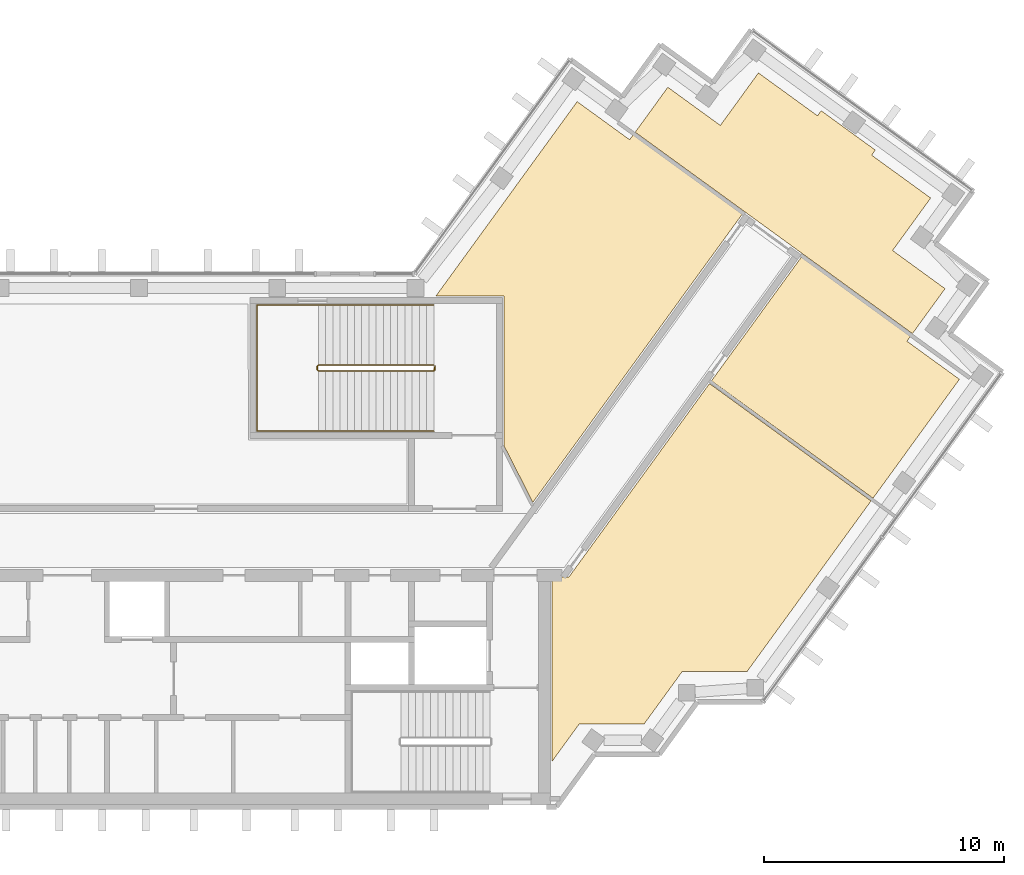
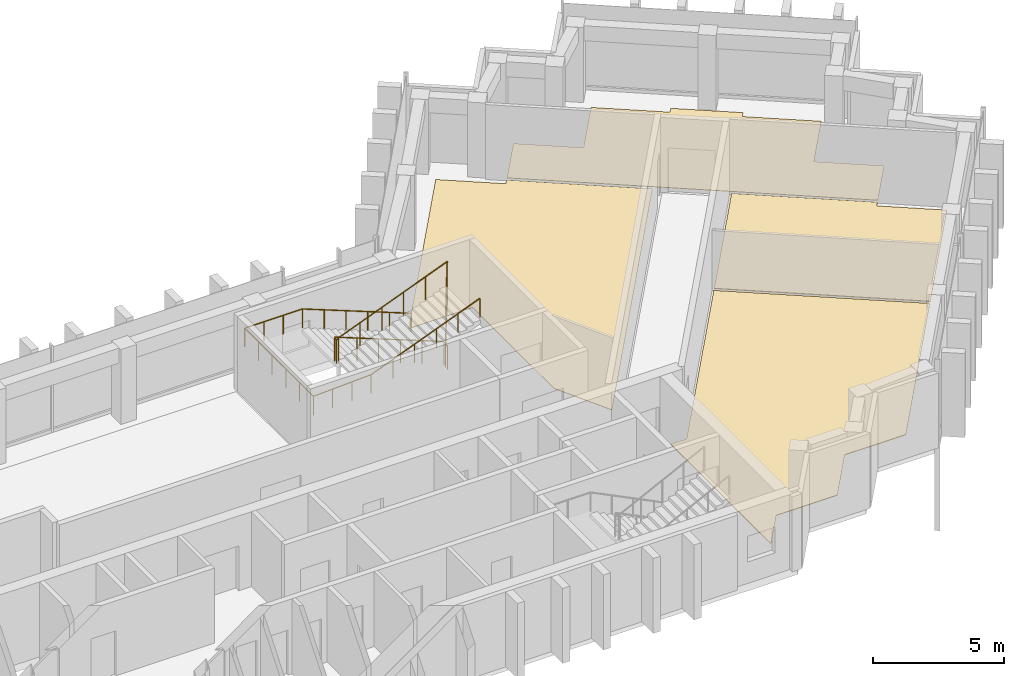
# One storey, part 13 of 13: 4 coverings, 2 railings.
"""IFC4 building model written with IfcOpenShell, lengths in metres."""

from ifc_helpers import new_model, si_unit, direction, frame, origin, origin_2d, place, context, subcontext, project, spatial, polyline, circle, outline, extrude, material, layer, layer_set, type_object, element, save


model = new_model("IFC4")

# Units and contexts
model_context = context("Model", 3, precision=1e-05, world=origin(), true_north=direction((0.0, 1.0)))
body_context = subcontext(model_context, "Body", "Model", "MODEL_VIEW")
ifc_project = project(units=[si_unit("LENGTHUNIT", "METRE"), si_unit("AREAUNIT", "SQUARE_METRE"), si_unit("VOLUMEUNIT", "CUBIC_METRE"), si_unit("PLANEANGLEUNIT", "RADIAN"), si_unit("MASSUNIT", "GRAM", prefix="KILO")], contexts=[model_context])

# Site, building, storey
site_placement = place(None, origin())
site = spatial("IfcSite", under=ifc_project, at=site_placement, CompositionType="ELEMENT")
building_placement = place(site_placement, origin())
building = spatial("IfcBuilding", under=site, at=building_placement, Name="Quipu Civic Tower", CompositionType="ELEMENT")
storey_placement = place(building_placement, frame((0.0, 0.0, 269.0)))
storey = spatial("IfcBuildingStorey", under=building, at=storey_placement, Name="L63", CompositionType="ELEMENT", Elevation=269.0)

# Coverings
ifc_material_1 = material(Name="Carpet tile on raised access floor")
ifc_layer_1 = layer(ifc_material_1, 0.02001953125)
ifc_layer_set_1 = layer_set([ifc_layer_1], Name="Carpet tile on raised access floor")
covering_type_1 = type_object("IfcCoveringType", Name="Carpet tile floor finish 20", PredefinedType="FLOORING", material=ifc_layer_set_1)
covering_1_placement = place(storey_placement, origin())
element("IfcCovering", 1, at=covering_1_placement, inside=storey, type_object=covering_type_1, Name="Carpet tile floor finish 20", PredefinedType="FLOORING", context=body_context, shape_type="SweptSolid", body=[
    extrude(outline(polyline([(15.238037109375, 10.169921875), (21.115966796875, 18.260986328125), (23.299072265625, 16.676025390625), (23.447998046875, 16.876953125), (27.987060546875, 13.5791015625), (19.27197265625, 1.583984375), (18.070068359375, 3.94189453125), (18.070068359375, 10.1689453125), (15.238037109375, 10.169921875)])), origin(), (0.0, 0.0, 1.0), 0.02001953125),
])
covering_2_placement = place(storey_placement, origin())
element("IfcCovering", 2, at=covering_2_placement, inside=storey, type_object=covering_type_1, Name="Carpet tile floor finish 20", PredefinedType="FLOORING", context=body_context, shape_type="SweptSolid", body=[
    extrude(outline(polyline([(23.531005859375, 16.989013671875), (24.888916015625, 18.85791015625), (27.073974609375, 17.27197265625), (28.658935546875, 19.455078125), (31.116943359375, 17.6708984375), (31.27099609375, 17.8798828125), (33.52197265625, 16.2451171875), (33.3701171875, 16.032958984375), (35.826904296875, 14.248046875), (34.240966796875, 12.06396484375), (36.425048828125, 10.47705078125), (35.068115234375, 8.60791015625), (23.531005859375, 16.989013671875)])), origin(), (0.0, 0.0, 1.0), 0.02001953125),
])
ifc_material_2 = material(Name="Ceramic floor tile")
ifc_layer_2 = layer(ifc_material_2, 0.030029296875)
ifc_layer_set_2 = layer_set([ifc_layer_2], Name="Ceramic floor tile")
covering_type_2 = type_object("IfcCoveringType", Name="Ceramic tile floor finish 30", PredefinedType="FLOORING", material=ifc_layer_set_2)
covering_3_placement = place(storey_placement, origin())
element("IfcCovering", 3, at=covering_3_placement, inside=storey, type_object=covering_type_2, Name="Ceramic tile floor finish 30", PredefinedType="FLOORING", context=body_context, shape_type="SweptSolid", body=[
    extrude(outline(polyline([(26.705078125, 6.64208984375), (30.446044921875, 11.7919921875), (34.985107421875, 8.493896484375), (34.839111328125, 8.291015625), (37.02197265625, 6.7060546875), (33.427978515625, 1.758056640625), (26.705078125, 6.64208984375)])), origin(), (0.0, 0.0, 1.0), 0.030029296875),
])
covering_4_placement = place(storey_placement, origin())
element("IfcCovering", 4, at=covering_4_placement, inside=storey, type_object=covering_type_2, Name="Ceramic tile floor finish 30", PredefinedType="FLOORING", context=body_context, shape_type="SweptSolid", body=[
    extrude(outline(polyline([(20.070068359375, -9.195068359375), (20.070068359375, -1.52001953125), (20.77490234375, -1.51904296875), (26.6220703125, 6.529052734375), (33.344970703125, 1.64501953125), (28.181884765625, -5.4609375), (25.48193359375, -5.4619140625), (23.89501953125, -7.64599609375), (21.196044921875, -7.64599609375), (20.070068359375, -9.195068359375)])), origin(), (0.0, 0.0, 1.0), 0.030029296875),
])

# Railings
ifc_material_3 = material(Name="Stainless steel", Category="steel")
railing_type_1 = type_object("IfcRailingType", Name="Stair guard 1100", PredefinedType="GUARDRAIL", material=ifc_material_3)
railing_1_placement = place(storey_placement, frame((15.14990234375, 7.300048828125, 0.11767578125)))
element("IfcRailing", 5, at=railing_1_placement, inside=storey, type_object=railing_type_1, Name="Stair 4 guard", PredefinedType="GUARDRAIL", context=body_context, shape_type="SweptSolid", body=[
    extrude(circle(Radius=0.02392578125, at=origin_2d()), frame((0.0, 0.0, 1.076171875), z_axis=(-0.930970042603, 0.0, 0.365095576219), x_axis=(0.0, -1.0, 0.0)), (0.0, 0.0, 1.0), 5.15576171875),
    extrude(circle(Radius=0.02392578125, at=origin_2d()), frame((-4.7998046875, 0.0, 2.95849609375), z_axis=(-0.707106781187, -0.707106781187, 0.0), x_axis=(0.707106781187, -0.707106781187, 0.0)), (0.0, 0.0, 1.0), 0.07080078125),
    extrude(circle(Radius=0.02392578125, at=origin_2d()), frame((-4.849853515625, -0.050048828125, 2.95849609375), z_axis=(0.0, -1.0, 0.0), x_axis=(1.0, 0.0, 0.0)), (0.0, 0.0, 1.0), 0.14990234375),
    extrude(circle(Radius=0.02392578125, at=origin_2d()), frame((-4.849853515625, -0.199951171875, 2.95849609375), z_axis=(0.364463019033, -0.364463019033, 0.856932561824), x_axis=(0.707106781187, 0.707106781187, 0.0)), (0.0, 0.0, 1.0), 0.13720703125),
    extrude(circle(Radius=0.02392578125, at=origin_2d()), frame((-4.7998046875, -0.25, 3.076171875), z_axis=(0.930970042603, 0.0, 0.365095576219), x_axis=(0.0, 1.0, 0.0)), (0.0, 0.0, 1.0), 5.15576171875),
    extrude(circle(Radius=0.02392578125, at=origin_2d()), frame((0.0, -0.25, 4.95849609375), z_axis=(0.012495627992, 0.049921557685, -0.998674970829), x_axis=(-0.970072785993, 0.242814311512, 0.0)), (0.0, 0.0, 1.0), 4.00537109375),
    extrude(circle(Radius=0.02392578125, at=origin_2d()), frame((0.050048828125, -0.050048828125, 0.95849609375), z_axis=(0.0, -1.0, 0.0), x_axis=(1.0, 0.0, 0.0)), (0.0, 0.0, 1.0), 0.14990234375),
    extrude(circle(Radius=0.02099609375, at=origin_2d()), origin(), (0.0, 0.0, 1.0), 1.052001953125),
    extrude(circle(Radius=0.02099609375, at=origin_2d()), frame((-0.9599609375, 0.0, 0.37646484375)), (0.0, 0.0, 1.0), 1.052001953125),
    extrude(circle(Radius=0.02099609375, at=origin_2d()), frame((-1.919921875, 0.0, 0.7529296875)), (0.0, 0.0, 1.0), 1.052001953125),
    extrude(circle(Radius=0.02099609375, at=origin_2d()), frame((-2.8798828125, 0.0, 1.12939453125)), (0.0, 0.0, 1.0), 1.052001953125),
    extrude(circle(Radius=0.02099609375, at=origin_2d()), frame((-3.83984375, 0.0, 1.505859375)), (0.0, 0.0, 1.0), 1.052001953125),
    extrude(circle(Radius=0.02099609375, at=origin_2d()), frame((-4.7998046875, 0.0, 1.88232421875)), (0.0, 0.0, 1.0), 1.052001953125),
    extrude(circle(Radius=0.02099609375, at=origin_2d()), frame((-4.849853515625, -0.050048828125, 1.88232421875)), (0.0, 0.0, 1.0), 1.052001953125),
    extrude(circle(Radius=0.02099609375, at=origin_2d()), frame((-4.849853515625, -0.199951171875, 1.88232421875)), (0.0, 0.0, 1.0), 1.052001953125),
    extrude(circle(Radius=0.02099609375, at=origin_2d()), frame((-4.7998046875, -0.25, 2.0)), (0.0, 0.0, 1.0), 1.052001953125),
    extrude(circle(Radius=0.02099609375, at=origin_2d()), frame((-3.83984375, -0.25, 2.37646484375)), (0.0, 0.0, 1.0), 1.052001953125),
    extrude(circle(Radius=0.02099609375, at=origin_2d()), frame((-2.8798828125, -0.25, 2.7529296875)), (0.0, 0.0, 1.0), 1.052001953125),
    extrude(circle(Radius=0.02099609375, at=origin_2d()), frame((-1.919921875, -0.25, 3.12939453125)), (0.0, 0.0, 1.0), 1.052001953125),
    extrude(circle(Radius=0.02099609375, at=origin_2d()), frame((-0.9599609375, -0.25, 3.505859375)), (0.0, 0.0, 1.0), 1.052001953125),
    extrude(circle(Radius=0.02099609375, at=origin_2d()), frame((0.0, -0.25, 3.88232421875)), (0.0, 0.0, 1.0), 1.052001953125),
    extrude(circle(Radius=0.02099609375, at=origin_2d()), frame((0.012451171875, -0.199951171875, 2.88232421875)), (0.0, 0.0, 1.0), 1.052001953125),
    extrude(circle(Radius=0.02099609375, at=origin_2d()), frame((0.02490234375, -0.14990234375, 1.88232421875)), (0.0, 0.0, 1.0), 1.052001953125),
    extrude(circle(Radius=0.02099609375, at=origin_2d()), frame((0.03759765625, -0.10009765625, 0.88232421875)), (0.0, 0.0, 1.0), 1.052001953125),
    extrude(circle(Radius=0.02099609375, at=origin_2d()), frame((0.050048828125, -0.050048828125, -0.11767578125)), (0.0, 0.0, 1.0), 1.052001953125),
    extrude(circle(Radius=0.02099609375, at=origin_2d()), frame((0.050048828125, -0.199951171875, -0.11767578125)), (0.0, 0.0, 1.0), 1.052001953125),
])
ifc_material_4 = material(Name="Stainless steel", Category="steel")
railing_type_2 = type_object("IfcRailingType", Name="Stair handrail", PredefinedType="HANDRAIL", material=ifc_material_4)
railing_2_placement = place(storey_placement, frame((15.14990234375, 9.800048828125, 0.11767578125)))
element("IfcRailing", 6, at=railing_2_placement, inside=storey, type_object=railing_type_2, Name="Stair 4 handrail", PredefinedType="HANDRAIL", context=body_context, shape_type="SweptSolid", body=[
    extrude(circle(Radius=0.02392578125, at=origin_2d()), frame((0.0, 0.0, 0.8759765625), z_axis=(-0.930970042603, 0.0, 0.365095576219), x_axis=(0.0, -1.0, 0.0)), (0.0, 0.0, 1.0), 5.15576171875),
    extrude(circle(Radius=0.02392578125, at=origin_2d()), frame((-4.7998046875, 0.0, 2.75830078125), z_axis=(-1.0, 0.0, 0.0), x_axis=(0.0, -1.0, 0.0)), (0.0, 0.0, 1.0), 2.550048828125),
    extrude(circle(Radius=0.02392578125, at=origin_2d()), frame((-7.349853515625, 0.0, 2.75830078125), z_axis=(0.0, -1.0, 0.0), x_axis=(1.0, 0.0, 0.0)), (0.0, 0.0, 1.0), 5.25),
    extrude(circle(Radius=0.02392578125, at=origin_2d()), frame((-7.349853515625, -5.25, 2.75830078125), z_axis=(0.998936948642, 0.0, 0.04609742549), x_axis=(0.0, 1.0, 0.0)), (0.0, 0.0, 1.0), 2.552734375),
    extrude(circle(Radius=0.02392578125, at=origin_2d()), frame((-4.7998046875, -5.25, 2.8759765625), z_axis=(0.930970042603, 0.0, 0.365095576219), x_axis=(0.0, 1.0, 0.0)), (0.0, 0.0, 1.0), 5.15576171875),
    extrude(circle(Radius=0.02099609375, at=origin_2d()), origin(), (0.0, 0.0, 1.0), 0.851806640625),
    extrude(circle(Radius=0.02099609375, at=origin_2d()), frame((-0.9599609375, 0.0, 0.37646484375)), (0.0, 0.0, 1.0), 0.851806640625),
    extrude(circle(Radius=0.02099609375, at=origin_2d()), frame((-1.919921875, 0.0, 0.7529296875)), (0.0, 0.0, 1.0), 0.851806640625),
    extrude(circle(Radius=0.02099609375, at=origin_2d()), frame((-2.8798828125, 0.0, 1.12939453125)), (0.0, 0.0, 1.0), 0.851806640625),
    extrude(circle(Radius=0.02099609375, at=origin_2d()), frame((-3.83984375, 0.0, 1.505859375)), (0.0, 0.0, 1.0), 0.851806640625),
    extrude(circle(Radius=0.02099609375, at=origin_2d()), frame((-4.7998046875, 0.0, 1.88232421875)), (0.0, 0.0, 1.0), 0.851806640625),
    extrude(circle(Radius=0.02099609375, at=origin_2d()), frame((-5.64990234375, 0.0, 1.88232421875)), (0.0, 0.0, 1.0), 0.851806640625),
    extrude(circle(Radius=0.02099609375, at=origin_2d()), frame((-6.499755859375, 0.0, 1.88232421875)), (0.0, 0.0, 1.0), 0.851806640625),
    extrude(circle(Radius=0.02099609375, at=origin_2d()), frame((-7.349853515625, 0.0, 1.88232421875)), (0.0, 0.0, 1.0), 0.851806640625),
    extrude(circle(Radius=0.02099609375, at=origin_2d()), frame((-7.349853515625, -1.050048828125, 1.88232421875)), (0.0, 0.0, 1.0), 0.851806640625),
    extrude(circle(Radius=0.02099609375, at=origin_2d()), frame((-7.349853515625, -2.10009765625, 1.88232421875)), (0.0, 0.0, 1.0), 0.851806640625),
    extrude(circle(Radius=0.02099609375, at=origin_2d()), frame((-7.349853515625, -3.14990234375, 1.88232421875)), (0.0, 0.0, 1.0), 0.851806640625),
    extrude(circle(Radius=0.02099609375, at=origin_2d()), frame((-7.349853515625, -4.199951171875, 1.88232421875)), (0.0, 0.0, 1.0), 0.851806640625),
    extrude(circle(Radius=0.02099609375, at=origin_2d()), frame((-7.349853515625, -5.25, 1.88232421875)), (0.0, 0.0, 1.0), 0.851806640625),
    extrude(circle(Radius=0.02099609375, at=origin_2d()), frame((-6.499755859375, -5.25, 1.921630859375)), (0.0, 0.0, 1.0), 0.851806640625),
    extrude(circle(Radius=0.02099609375, at=origin_2d()), frame((-5.64990234375, -5.25, 1.960693359375)), (0.0, 0.0, 1.0), 0.851806640625),
    extrude(circle(Radius=0.02099609375, at=origin_2d()), frame((-4.7998046875, -5.25, 2.0)), (0.0, 0.0, 1.0), 0.851806640625),
    extrude(circle(Radius=0.02099609375, at=origin_2d()), frame((-3.83984375, -5.25, 2.37646484375)), (0.0, 0.0, 1.0), 0.851806640625),
    extrude(circle(Radius=0.02099609375, at=origin_2d()), frame((-2.8798828125, -5.25, 2.7529296875)), (0.0, 0.0, 1.0), 0.851806640625),
    extrude(circle(Radius=0.02099609375, at=origin_2d()), frame((-1.919921875, -5.25, 3.12939453125)), (0.0, 0.0, 1.0), 0.851806640625),
    extrude(circle(Radius=0.02099609375, at=origin_2d()), frame((-0.9599609375, -5.25, 3.505859375)), (0.0, 0.0, 1.0), 0.851806640625),
    extrude(circle(Radius=0.02099609375, at=origin_2d()), frame((0.0, -5.25, 3.88232421875)), (0.0, 0.0, 1.0), 0.851806640625),
])

save(model, "model.ifc")
